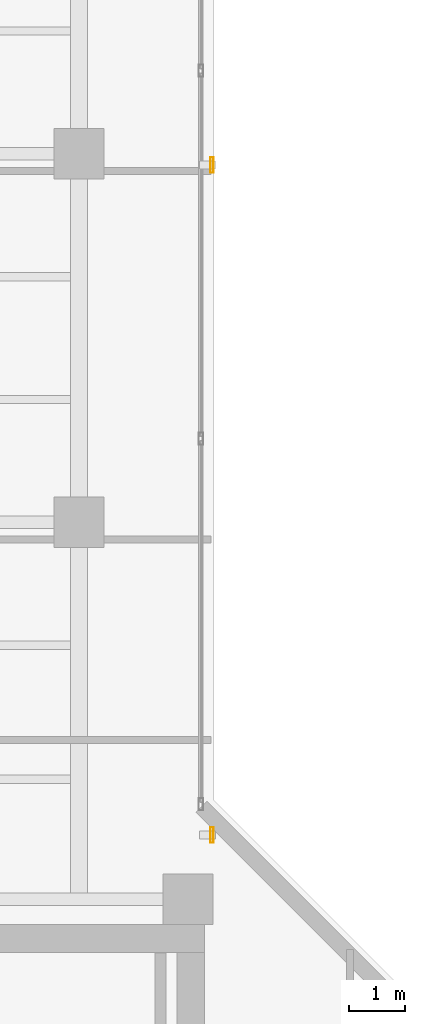
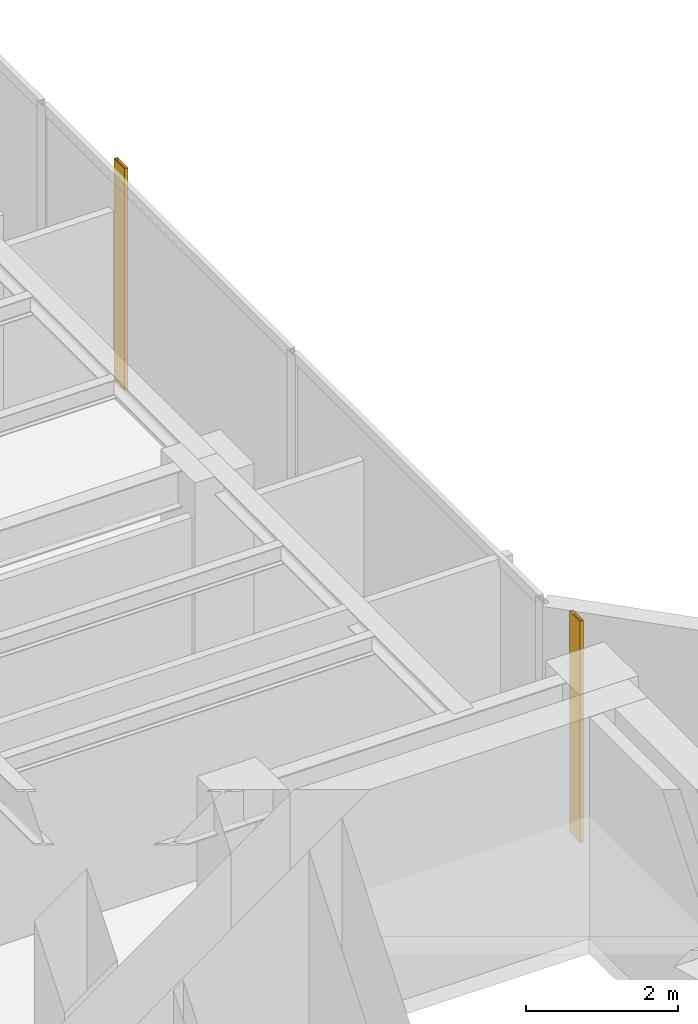
# One storey, part 22 of 22: 2 shading devices.
"""IFC4 building model written with IfcOpenShell, lengths in metres."""

from ifc_helpers import new_model, si_unit, direction, frame, origin, origin_2d, place, context, subcontext, project, spatial, hollow_rectangle, extrude, material, material_profile, profile_set, type_object, element, save


model = new_model("IFC4")

# Units and contexts
model_context = context("Model", 3, precision=1e-05, world=origin(), true_north=direction((0.0, 1.0)))
body_context = subcontext(model_context, "Body", "Model", "MODEL_VIEW")
ifc_project = project(units=[si_unit("LENGTHUNIT", "METRE"), si_unit("AREAUNIT", "SQUARE_METRE"), si_unit("VOLUMEUNIT", "CUBIC_METRE"), si_unit("PLANEANGLEUNIT", "RADIAN"), si_unit("MASSUNIT", "GRAM", prefix="KILO")], contexts=[model_context])

# Site, building, storey
site_placement = place(None, origin())
site = spatial("IfcSite", under=ifc_project, at=site_placement, CompositionType="ELEMENT")
building_placement = place(site_placement, origin())
building = spatial("IfcBuilding", under=site, at=building_placement, Name="Kolvaren Waterfront Exchange", CompositionType="ELEMENT")
storey_placement = place(building_placement, frame((0.0, 0.0, 327.39990234375)))
storey = spatial("IfcBuildingStorey", under=building, at=storey_placement, Name="L84", CompositionType="ELEMENT", Elevation=327.39990234375)

# Shading devices
ifc_material = material(Name="Anodised bronze aluminium 6063-T6", Category="aluminium")
ifc_material_profile = material_profile(ifc_material, hollow_rectangle(XDim=0.054931640625, YDim=0.280029296875, WallThickness=0.00439453125, at=origin_2d()), Name="BRZ-FIN-280x55x4.5")
ifc_profile_set = profile_set([ifc_material_profile], Name="Anodised bronze aluminium 6063-T6")
shading_device_type = type_object("IfcShadingDeviceType", Name="ARC-FIN-280", PredefinedType="USERDEFINED", material=ifc_profile_set)
for number, where, z_axis, x_axis, name in (
    (1, (21.18115234375, 25.60009765625, 0.0), (0.0, 0.0, 1.0), (1.0, 0.0, 0.0), "L84 anodised bronze solar shading fin FIN-L84-E2"),
    (2, (21.18115234375, 37.60009765625, 0.0), (0.0, 0.0, 1.0), (1.0, 0.0, 0.0), "L84 anodised bronze solar shading fin FIN-L84-E3"),
):
    element("IfcShadingDevice", number, at=place(storey_placement, frame(where, z_axis=z_axis, x_axis=x_axis)), inside=storey, type_object=shading_device_type, Name=name, ObjectType="SOLAR FIN", PredefinedType="USERDEFINED", context=body_context, shape_type="SweptSolid", body=[
        extrude(hollow_rectangle(XDim=0.054931640625, YDim=0.280029296875, WallThickness=0.00439453125, at=origin_2d()), origin(), (0.0, 0.0, 1.0), 3.56005859375),
    ])

save(model, "model.ifc")
